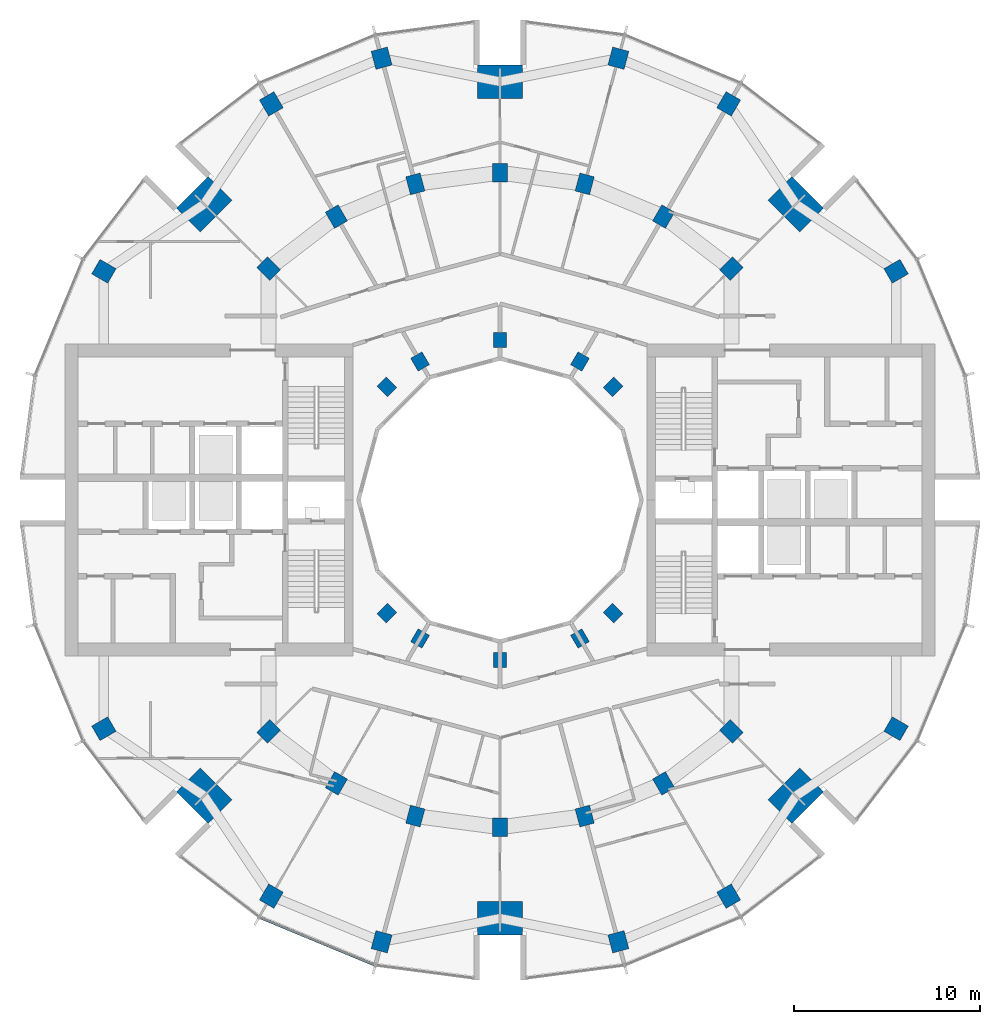
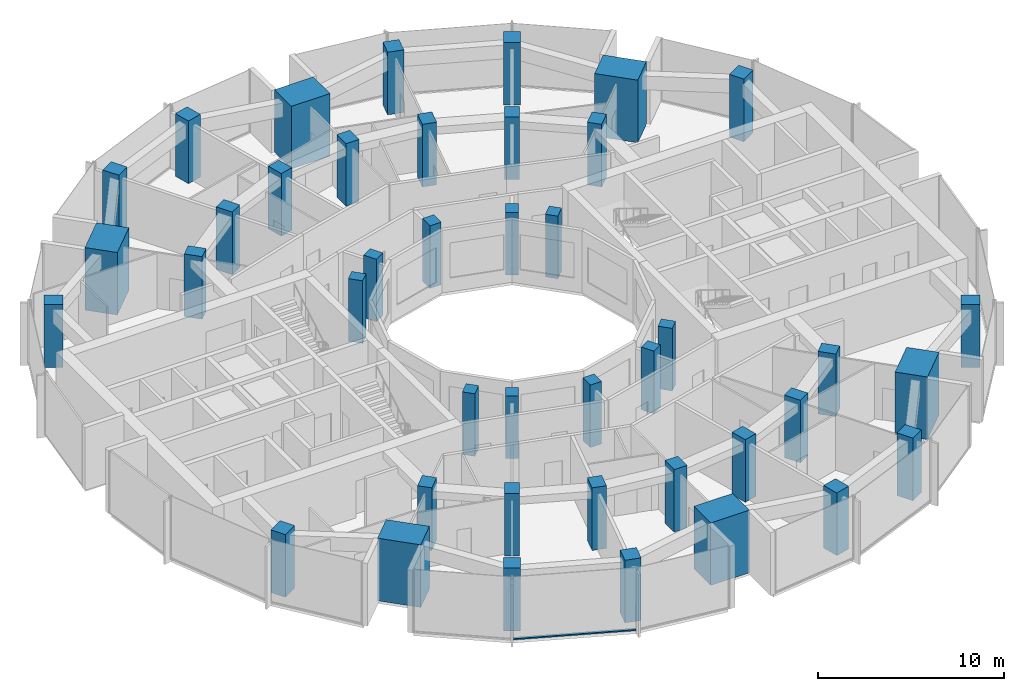
# One storey, part 1 of 15: 42 columns, 1 member, 1 element without a shape of its own.
"""IFC4 building model written with IfcOpenShell, lengths in metres."""

from ifc_helpers import new_model, si_unit, direction, frame, origin, origin_2d, place, context, subcontext, project, spatial, rectangle, extrude, material, layer, layer_set, material_profile, profile_set, type_object, element, aggregate, save


model = new_model("IFC4")

# Units and contexts
model_context = context("Model", 3, precision=1e-05, world=origin(), true_north=direction((0.0, 1.0)))
body_context = subcontext(model_context, "Body", "Model", "MODEL_VIEW")
ifc_project = project(units=[si_unit("LENGTHUNIT", "METRE"), si_unit("AREAUNIT", "SQUARE_METRE"), si_unit("VOLUMEUNIT", "CUBIC_METRE"), si_unit("PLANEANGLEUNIT", "RADIAN"), si_unit("MASSUNIT", "GRAM", prefix="KILO")], contexts=[model_context])

# Site, building, storey
site_placement = place(None, origin())
site = spatial("IfcSite", under=ifc_project, at=site_placement, CompositionType="ELEMENT")
building_placement = place(site_placement, origin())
building = spatial("IfcBuilding", under=site, at=building_placement, Name="Torre Brocal", CompositionType="ELEMENT")
storey_placement = place(building_placement, frame((0.0, 0.0, 182.300048828125)))
storey = spatial("IfcBuildingStorey", under=building, at=storey_placement, Name="L42", CompositionType="ELEMENT", Elevation=182.300048828125)

# Columns
ifc_material_1 = material(Name="Concrete C70", Category="concrete")
ifc_material_profile_1 = material_profile(ifc_material_1, rectangle(XDim=1.0, YDim=0.800048828125, at=origin_2d()), Name="RC 1000X800")
ifc_profile_set_1 = profile_set([ifc_material_profile_1], Name="Concrete C70")
column_type_1 = type_object("IfcColumnType", Name="RC COLUMN 1000X800 C70", PredefinedType="COLUMN", material=ifc_profile_set_1)
for number, where, z_axis, x_axis, name in (
    (1, (92.445068359375, 87.445068359375, 0.0), (0.0, 0.0, 1.0), (0.707106781187, 0.707106781187, 0.0), "Column C-M03"),
    (2, (88.800048828125, 90.241943359375, 0.0), (0.0, 0.0, 1.0), (0.5, 0.866025403784, 0.0), "Column C-M04"),
    (3, (84.55517578125, 92.000244140625, 0.0), (0.0, 0.0, 1.0), (0.258819045103, 0.965925826289, 0.0), "Column C-M05"),
    (4, (80.0, 92.60009765625, 0.0), (0.0, 0.0, 1.0), (0.0, 1.0, 0.0), "Column C-M06"),
    (5, (75.44482421875, 92.000244140625, 0.0), (0.0, 0.0, 1.0), (-0.258819045103, 0.965925826289, 0.0), "Column C-M07"),
    (6, (71.199951171875, 90.241943359375, 0.0), (0.0, 0.0, 1.0), (-0.5, 0.866025403784, 0.0), "Column C-M08"),
    (7, (67.554931640625, 87.445068359375, 0.0), (0.0, 0.0, 1.0), (-0.707106781187, 0.707106781187, 0.0), "Column C-M09"),
    (8, (67.554931640625, 62.554931640625, 0.0), (0.0, 0.0, 1.0), (-0.707106781187, -0.707106781187, 0.0), "Column C-M15"),
    (9, (71.199951171875, 59.758056640625, 0.0), (0.0, 0.0, 1.0), (-0.5, -0.866025403784, 0.0), "Column C-M16"),
    (10, (75.44482421875, 57.999755859375, 0.0), (0.0, 0.0, 1.0), (-0.258819045103, -0.965925826289, 0.0), "Column C-M17"),
    (11, (80.0, 57.39990234375, 0.0), (0.0, 0.0, 1.0), (0.0, -1.0, 0.0), "Column C-M18"),
    (12, (84.55517578125, 57.999755859375, 0.0), (0.0, 0.0, 1.0), (0.258819045103, -0.965925826289, 0.0), "Column C-M19"),
    (13, (88.800048828125, 59.758056640625, 0.0), (0.0, 0.0, 1.0), (0.5, -0.866025403784, 0.0), "Column C-M20"),
    (14, (92.445068359375, 62.554931640625, 0.0), (0.0, 0.0, 1.0), (0.707106781187, -0.707106781187, 0.0), "Column C-M21"),
):
    element("IfcColumn", number, at=place(storey_placement, frame(where, z_axis=z_axis, x_axis=x_axis)), inside=storey, type_object=column_type_1, Name=name, PredefinedType="COLUMN", context=body_context, shape_type="SweptSolid", body=[
        extrude(rectangle(XDim=1.0, YDim=0.800048828125, at=origin_2d()), origin(), (0.0, 0.0, 1.0), 4.099853515625),
    ])
ifc_material_2 = material(Name="Concrete C70", Category="concrete")
ifc_material_profile_2 = material_profile(ifc_material_2, rectangle(XDim=1.0, YDim=0.89990234375, at=origin_2d()), Name="RC 1000X900")
ifc_profile_set_2 = profile_set([ifc_material_profile_2], Name="Concrete C70")
column_type_2 = type_object("IfcColumnType", Name="RC COLUMN 1000X900 C70", PredefinedType="COLUMN", material=ifc_profile_set_2)
for number, where, z_axis, x_axis, name in (
    (15, (101.30419921875, 87.300048828125, 0.0), (0.0, 0.0, 1.0), (0.866025403784, 0.5, 0.0), "Column C-O02"),
    (16, (92.300048828125, 96.30419921875, 0.0), (0.0, 0.0, 1.0), (0.5, 0.866025403784, 0.0), "Column C-O04"),
    (17, (86.366943359375, 98.76171875, 0.0), (0.0, 0.0, 1.0), (0.258819045103, 0.965925826289, 0.0), "Column C-O05"),
    (18, (73.633056640625, 98.76171875, 0.0), (0.0, 0.0, 1.0), (-0.258819045103, 0.965925826289, 0.0), "Column C-O07"),
    (19, (67.699951171875, 96.30419921875, 0.0), (0.0, 0.0, 1.0), (-0.5, 0.866025403784, 0.0), "Column C-O08"),
    (20, (58.69580078125, 87.300048828125, 0.0), (0.0, 0.0, 1.0), (-0.866025403784, 0.5, 0.0), "Column C-O10"),
    (21, (58.69580078125, 62.699951171875, 0.0), (0.0, 0.0, 1.0), (-0.866025403784, -0.5, 0.0), "Column C-O14"),
    (22, (67.699951171875, 53.69580078125, 0.0), (0.0, 0.0, 1.0), (-0.5, -0.866025403784, 0.0), "Column C-O16"),
    (23, (73.633056640625, 51.23828125, 0.0), (0.0, 0.0, 1.0), (-0.258819045103, -0.965925826289, 0.0), "Column C-O17"),
    (24, (86.366943359375, 51.23828125, 0.0), (0.0, 0.0, 1.0), (0.258819045103, -0.965925826289, 0.0), "Column C-O19"),
    (25, (92.300048828125, 53.69580078125, 0.0), (0.0, 0.0, 1.0), (0.5, -0.866025403784, 0.0), "Column C-O20"),
    (26, (101.30419921875, 62.699951171875, 0.0), (0.0, 0.0, 1.0), (0.866025403784, -0.5, 0.0), "Column C-O22"),
):
    element("IfcColumn", number, at=place(storey_placement, frame(where, z_axis=z_axis, x_axis=x_axis)), inside=storey, type_object=column_type_2, Name=name, PredefinedType="COLUMN", context=body_context, shape_type="SweptSolid", body=[
        extrude(rectangle(XDim=1.0, YDim=0.89990234375, at=origin_2d()), origin(), (0.0, 0.0, 1.0), 4.099853515625),
    ])
ifc_material_3 = material(Name="Concrete C70", Category="concrete")
ifc_material_profile_3 = material_profile(ifc_material_3, rectangle(XDim=1.800048828125, YDim=2.39990234375, at=origin_2d()), Name="RC 1800X2400")
ifc_profile_set_3 = profile_set([ifc_material_profile_3], Name="Concrete C70")
column_type_3 = type_object("IfcColumnType", Name="RC COLUMN 1800X2400 C70", PredefinedType="COLUMN", material=ifc_profile_set_3)
for number, where, z_axis, x_axis, name in (
    (27, (95.909912109375, 90.909912109375, 0.0), (0.0, 0.0, 1.0), (0.707106781187, 0.707106781187, 0.0), "Column MC-1"),
    (28, (80.0, 97.5, 0.0), (0.0, 0.0, 1.0), (0.0, 1.0, 0.0), "Column MC-2"),
    (29, (64.090087890625, 90.909912109375, 0.0), (0.0, 0.0, 1.0), (-0.707106781187, 0.707106781187, 0.0), "Column MC-3"),
    (30, (64.090087890625, 59.090087890625, 0.0), (0.0, 0.0, 1.0), (-0.707106781187, -0.707106781187, 0.0), "Column MC-5"),
    (31, (80.0, 52.5, 0.0), (0.0, 0.0, 1.0), (0.0, -1.0, 0.0), "Column MC-6"),
    (32, (95.909912109375, 59.090087890625, 0.0), (0.0, 0.0, 1.0), (0.707106781187, -0.707106781187, 0.0), "Column MC-7"),
):
    element("IfcColumn", number, at=place(storey_placement, frame(where, z_axis=z_axis, x_axis=x_axis)), inside=storey, type_object=column_type_3, Name=name, PredefinedType="COLUMN", context=body_context, shape_type="SweptSolid", body=[
        extrude(rectangle(XDim=1.800048828125, YDim=2.39990234375, at=origin_2d()), origin(), (0.0, 0.0, 1.0), 4.099853515625),
    ])
ifc_material_4 = material(Name="Concrete C70", Category="concrete")
ifc_material_profile_4 = material_profile(ifc_material_4, rectangle(XDim=0.800048828125, YDim=0.699951171875, at=origin_2d()), Name="RC 800X700")
ifc_profile_set_4 = profile_set([ifc_material_profile_4], Name="Concrete C70")
column_type_4 = type_object("IfcColumnType", Name="RC COLUMN 800X700 C70", PredefinedType="COLUMN", material=ifc_profile_set_4)
for number, where, z_axis, x_axis, name in (
    (33, (86.0810546875, 81.0810546875, 0.0), (0.0, 0.0, 1.0), (0.707106781187, 0.707106781187, 0.0), "Column C-I03"),
    (34, (84.300048828125, 82.44775390625, 0.0), (0.0, 0.0, 1.0), (0.5, 0.866025403784, 0.0), "Column C-I04"),
    (35, (80.0, 83.60009765625, 0.0), (0.0, 0.0, 1.0), (0.0, 1.0, 0.0), "Column C-I06"),
    (36, (75.699951171875, 82.44775390625, 0.0), (0.0, 0.0, 1.0), (-0.5, 0.866025403784, 0.0), "Column C-I08"),
    (37, (73.9189453125, 81.0810546875, 0.0), (0.0, 0.0, 1.0), (-0.707106781187, 0.707106781187, 0.0), "Column C-I09"),
    (38, (73.9189453125, 68.9189453125, 0.0), (0.0, 0.0, 1.0), (-0.707106781187, -0.707106781187, 0.0), "Column C-I15"),
    (39, (75.699951171875, 67.55224609375, 0.0), (0.0, 0.0, 1.0), (-0.5, -0.866025403784, 0.0), "Column C-I16"),
    (40, (80.0, 66.39990234375, 0.0), (0.0, 0.0, 1.0), (0.0, -1.0, 0.0), "Column C-I18"),
    (41, (84.300048828125, 67.55224609375, 0.0), (0.0, 0.0, 1.0), (0.5, -0.866025403784, 0.0), "Column C-I20"),
    (42, (86.0810546875, 68.9189453125, 0.0), (0.0, 0.0, 1.0), (0.707106781187, -0.707106781187, 0.0), "Column C-I21"),
):
    element("IfcColumn", number, at=place(storey_placement, frame(where, z_axis=z_axis, x_axis=x_axis)), inside=storey, type_object=column_type_4, Name=name, PredefinedType="COLUMN", context=body_context, shape_type="SweptSolid", body=[
        extrude(rectangle(XDim=0.800048828125, YDim=0.699951171875, at=origin_2d()), origin(), (0.0, 0.0, 1.0), 4.099853515625),
    ])

# Curtain wall, member
ifc_material_5 = material(Name="Aluminium and glass", Category="aluminium")
ifc_layer = layer(ifc_material_5, 0.199951171875)
ifc_layer_set = layer_set([ifc_layer], Name="Aluminium and glass")
curtain_wall_type = type_object("IfcCurtainWallType", Name="CW-1 CURTAIN WALL 4100 HIGH", PredefinedType="NOTDEFINED", material=ifc_layer_set)
curtain_wall_placement = place(storey_placement, origin())
curtain_wall = element("IfcCurtainWall", 43, at=curtain_wall_placement, inside=storey, type_object=curtain_wall_type, Name="CW-1 RUN 17", PredefinedType="NOTDEFINED")
ifc_material_6 = material(Name="Aluminium, dark anodised", Category="aluminium")
ifc_material_profile_5 = material_profile(ifc_material_6, rectangle(XDim=0.159912109375, YDim=0.080078125, at=origin_2d()), Name="CW-1 TRANSOM 160X80")
ifc_profile_set_5 = profile_set([ifc_material_profile_5], Name="Aluminium, dark anodised")
member_type = type_object("IfcMemberType", Name="CW-1 TRANSOM 160X80", PredefinedType="USERDEFINED", material=ifc_profile_set_5)
member_placement = place(storey_placement, frame((67.10595703125, 52.547607421875, 0.0400390625), z_axis=(0.923887344364, -0.38266457234, 0.0), x_axis=(0.38266457234, 0.923887344364, 0.0)))
member = element("IfcMember", 44, at=member_placement, type_object=member_type, Name="CW1-4 transom 1.1", ObjectType="TRANSOM", PredefinedType="USERDEFINED", context=body_context, shape_type="SweptSolid", body=[
    extrude(rectangle(XDim=0.159912109375, YDim=0.080078125, at=origin_2d()), origin(), (0.0, 0.0, 1.0), 6.640869140625),
])
aggregate(curtain_wall, [member])

save(model, "model.ifc")
